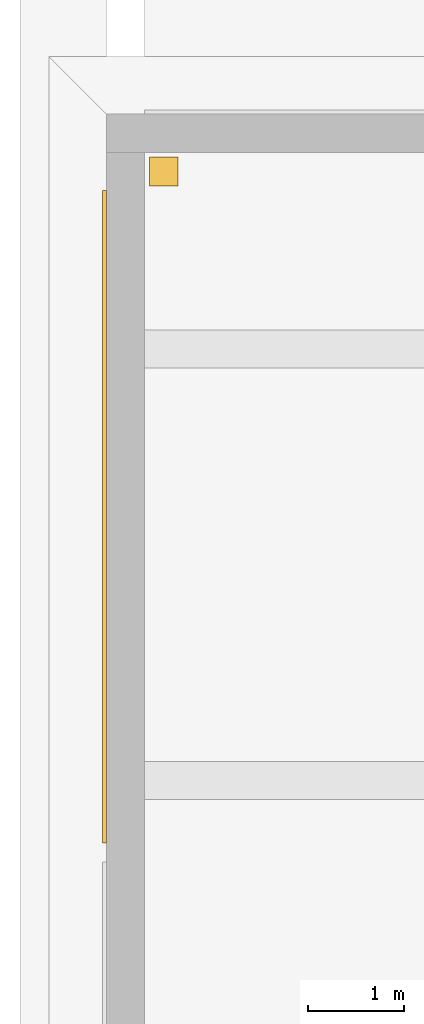
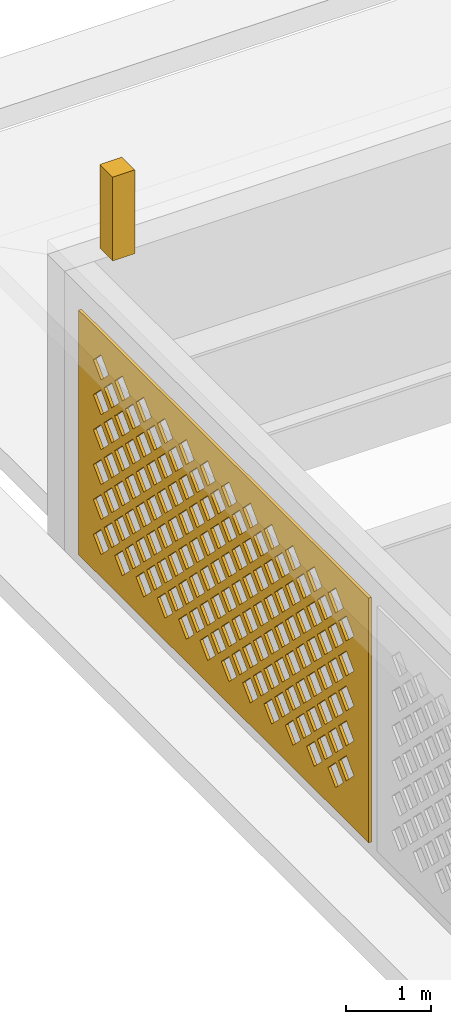
# One storey, part 29 of 63: 2 coverings.
"""IFC4 building model written with IfcOpenShell, lengths in metres."""

from ifc_helpers import new_model, si_unit, direction, frame, origin, origin_2d, place, context, subcontext, project, spatial, polyline, rectangle, outline, extrude, material, layer, layer_set, type_object, element, save


model = new_model("IFC4")

# Units and contexts
model_context = context("Model", 3, precision=1e-05, world=origin(), true_north=direction((0.0, 1.0)))
body_context = subcontext(model_context, "Body", "Model", "MODEL_VIEW")
ifc_project = project(units=[si_unit("LENGTHUNIT", "METRE"), si_unit("AREAUNIT", "SQUARE_METRE"), si_unit("VOLUMEUNIT", "CUBIC_METRE"), si_unit("PLANEANGLEUNIT", "RADIAN"), si_unit("MASSUNIT", "GRAM", prefix="KILO")], contexts=[model_context])

# Site, building, storey
site_placement = place(None, origin())
site = spatial("IfcSite", under=ifc_project, at=site_placement, CompositionType="ELEMENT")
building_placement = place(site_placement, origin())
building = spatial("IfcBuilding", under=site, at=building_placement, Name="Noorbagh Ring Tower", CompositionType="ELEMENT")
storey_placement = place(building_placement, frame((0.0, 0.0, 25.0)))
storey = spatial("IfcBuildingStorey", under=building, at=storey_placement, Name="L04", CompositionType="ELEMENT", Elevation=25.0)

# Coverings
ifc_material_1 = material(Name="Red sandstone jali", Category="masonry")
ifc_layer = layer(ifc_material_1, 0.0400390625)
ifc_layer_set = layer_set([ifc_layer], Name="Red sandstone jali")
covering_type_1 = type_object("IfcCoveringType", Name="STH-BAND", PredefinedType="USERDEFINED", material=ifc_layer_set)
covering_1_placement = place(storey_placement, frame((-160.0400390625, 22.39990234375, 0.199951171875), z_axis=(-1.0, 0.0, 0.0), x_axis=(0.0, -1.0, 0.0)))
element("IfcCovering", 1, at=covering_1_placement, inside=storey, type_object=covering_type_1, Name="Jali band of the stage house", ObjectType="JALI SCREEN", PredefinedType="USERDEFINED", context=body_context, shape_type="SweptSolid", body=[
    extrude(outline(polyline([(0.0, 0.0), (6.7998046875, 0.0), (6.7998046875, 3.5), (0.0, 3.5), (0.0, 0.0)]), holes=[polyline([(0.344970703125, 0.5), (0.52490234375, 0.320068359375), (0.705078125, 0.5), (0.52490234375, 0.679931640625), (0.344970703125, 0.5)]), polyline([(0.844970703125, 0.5), (1.02490234375, 0.320068359375), (1.205078125, 0.5), (1.02490234375, 0.679931640625), (0.844970703125, 0.5)]), polyline([(1.344970703125, 0.5), (1.52490234375, 0.320068359375), (1.705078125, 0.5), (1.52490234375, 0.679931640625), (1.344970703125, 0.5)]), polyline([(1.844970703125, 0.5), (2.02490234375, 0.320068359375), (2.205078125, 0.5), (2.02490234375, 0.679931640625), (1.844970703125, 0.5)]), polyline([(2.344970703125, 0.5), (2.52490234375, 0.320068359375), (2.705078125, 0.5), (2.52490234375, 0.679931640625), (2.344970703125, 0.5)]), polyline([(2.844970703125, 0.5), (3.02490234375, 0.320068359375), (3.205078125, 0.5), (3.02490234375, 0.679931640625), (2.844970703125, 0.5)]), polyline([(3.344970703125, 0.5), (3.52490234375, 0.320068359375), (3.705078125, 0.5), (3.52490234375, 0.679931640625), (3.344970703125, 0.5)]), polyline([(3.844970703125, 0.5), (4.02490234375, 0.320068359375), (4.205078125, 0.5), (4.02490234375, 0.679931640625), (3.844970703125, 0.5)]), polyline([(4.344970703125, 0.5), (4.52490234375, 0.320068359375), (4.705078125, 0.5), (4.52490234375, 0.679931640625), (4.344970703125, 0.5)]), polyline([(4.844970703125, 0.5), (5.02490234375, 0.320068359375), (5.205078125, 0.5), (5.02490234375, 0.679931640625), (4.844970703125, 0.5)]), polyline([(5.344970703125, 0.5), (5.52490234375, 0.320068359375), (5.705078125, 0.5), (5.52490234375, 0.679931640625), (5.344970703125, 0.5)]), polyline([(5.844970703125, 0.5), (6.02490234375, 0.320068359375), (6.205078125, 0.5), (6.02490234375, 0.679931640625), (5.844970703125, 0.5)]), polyline([(0.594970703125, 0.75), (0.77490234375, 0.570068359375), (0.955078125, 0.75), (0.77490234375, 0.929931640625), (0.594970703125, 0.75)]), polyline([(1.094970703125, 0.75), (1.27490234375, 0.570068359375), (1.455078125, 0.75), (1.27490234375, 0.929931640625), (1.094970703125, 0.75)]), polyline([(1.594970703125, 0.75), (1.77490234375, 0.570068359375), (1.955078125, 0.75), (1.77490234375, 0.929931640625), (1.594970703125, 0.75)]), polyline([(2.094970703125, 0.75), (2.27490234375, 0.570068359375), (2.455078125, 0.75), (2.27490234375, 0.929931640625), (2.094970703125, 0.75)]), polyline([(2.594970703125, 0.75), (2.77490234375, 0.570068359375), (2.955078125, 0.75), (2.77490234375, 0.929931640625), (2.594970703125, 0.75)]), polyline([(3.094970703125, 0.75), (3.27490234375, 0.570068359375), (3.455078125, 0.75), (3.27490234375, 0.929931640625), (3.094970703125, 0.75)]), polyline([(3.594970703125, 0.75), (3.77490234375, 0.570068359375), (3.955078125, 0.75), (3.77490234375, 0.929931640625), (3.594970703125, 0.75)]), polyline([(4.094970703125, 0.75), (4.27490234375, 0.570068359375), (4.455078125, 0.75), (4.27490234375, 0.929931640625), (4.094970703125, 0.75)]), polyline([(4.594970703125, 0.75), (4.77490234375, 0.570068359375), (4.955078125, 0.75), (4.77490234375, 0.929931640625), (4.594970703125, 0.75)]), polyline([(5.094970703125, 0.75), (5.27490234375, 0.570068359375), (5.455078125, 0.75), (5.27490234375, 0.929931640625), (5.094970703125, 0.75)]), polyline([(5.594970703125, 0.75), (5.77490234375, 0.570068359375), (5.955078125, 0.75), (5.77490234375, 0.929931640625), (5.594970703125, 0.75)]), polyline([(6.094970703125, 0.75), (6.27490234375, 0.570068359375), (6.455078125, 0.75), (6.27490234375, 0.929931640625), (6.094970703125, 0.75)]), polyline([(0.344970703125, 1.0), (0.52490234375, 0.820068359375), (0.705078125, 1.0), (0.52490234375, 1.179931640625), (0.344970703125, 1.0)]), polyline([(0.844970703125, 1.0), (1.02490234375, 0.820068359375), (1.205078125, 1.0), (1.02490234375, 1.179931640625), (0.844970703125, 1.0)]), polyline([(1.344970703125, 1.0), (1.52490234375, 0.820068359375), (1.705078125, 1.0), (1.52490234375, 1.179931640625), (1.344970703125, 1.0)]), polyline([(1.844970703125, 1.0), (2.02490234375, 0.820068359375), (2.205078125, 1.0), (2.02490234375, 1.179931640625), (1.844970703125, 1.0)]), polyline([(2.344970703125, 1.0), (2.52490234375, 0.820068359375), (2.705078125, 1.0), (2.52490234375, 1.179931640625), (2.344970703125, 1.0)]), polyline([(2.844970703125, 1.0), (3.02490234375, 0.820068359375), (3.205078125, 1.0), (3.02490234375, 1.179931640625), (2.844970703125, 1.0)]), polyline([(3.344970703125, 1.0), (3.52490234375, 0.820068359375), (3.705078125, 1.0), (3.52490234375, 1.179931640625), (3.344970703125, 1.0)]), polyline([(3.844970703125, 1.0), (4.02490234375, 0.820068359375), (4.205078125, 1.0), (4.02490234375, 1.179931640625), (3.844970703125, 1.0)]), polyline([(4.344970703125, 1.0), (4.52490234375, 0.820068359375), (4.705078125, 1.0), (4.52490234375, 1.179931640625), (4.344970703125, 1.0)]), polyline([(4.844970703125, 1.0), (5.02490234375, 0.820068359375), (5.205078125, 1.0), (5.02490234375, 1.179931640625), (4.844970703125, 1.0)]), polyline([(5.344970703125, 1.0), (5.52490234375, 0.820068359375), (5.705078125, 1.0), (5.52490234375, 1.179931640625), (5.344970703125, 1.0)]), polyline([(5.844970703125, 1.0), (6.02490234375, 0.820068359375), (6.205078125, 1.0), (6.02490234375, 1.179931640625), (5.844970703125, 1.0)]), polyline([(0.594970703125, 1.25), (0.77490234375, 1.070068359375), (0.955078125, 1.25), (0.77490234375, 1.429931640625), (0.594970703125, 1.25)]), polyline([(1.094970703125, 1.25), (1.27490234375, 1.070068359375), (1.455078125, 1.25), (1.27490234375, 1.429931640625), (1.094970703125, 1.25)]), polyline([(1.594970703125, 1.25), (1.77490234375, 1.070068359375), (1.955078125, 1.25), (1.77490234375, 1.429931640625), (1.594970703125, 1.25)]), polyline([(2.094970703125, 1.25), (2.27490234375, 1.070068359375), (2.455078125, 1.25), (2.27490234375, 1.429931640625), (2.094970703125, 1.25)]), polyline([(2.594970703125, 1.25), (2.77490234375, 1.070068359375), (2.955078125, 1.25), (2.77490234375, 1.429931640625), (2.594970703125, 1.25)]), polyline([(3.094970703125, 1.25), (3.27490234375, 1.070068359375), (3.455078125, 1.25), (3.27490234375, 1.429931640625), (3.094970703125, 1.25)]), polyline([(3.594970703125, 1.25), (3.77490234375, 1.070068359375), (3.955078125, 1.25), (3.77490234375, 1.429931640625), (3.594970703125, 1.25)]), polyline([(4.094970703125, 1.25), (4.27490234375, 1.070068359375), (4.455078125, 1.25), (4.27490234375, 1.429931640625), (4.094970703125, 1.25)]), polyline([(4.594970703125, 1.25), (4.77490234375, 1.070068359375), (4.955078125, 1.25), (4.77490234375, 1.429931640625), (4.594970703125, 1.25)]), polyline([(5.094970703125, 1.25), (5.27490234375, 1.070068359375), (5.455078125, 1.25), (5.27490234375, 1.429931640625), (5.094970703125, 1.25)]), polyline([(5.594970703125, 1.25), (5.77490234375, 1.070068359375), (5.955078125, 1.25), (5.77490234375, 1.429931640625), (5.594970703125, 1.25)]), polyline([(6.094970703125, 1.25), (6.27490234375, 1.070068359375), (6.455078125, 1.25), (6.27490234375, 1.429931640625), (6.094970703125, 1.25)]), polyline([(0.344970703125, 1.5), (0.52490234375, 1.320068359375), (0.705078125, 1.5), (0.52490234375, 1.679931640625), (0.344970703125, 1.5)]), polyline([(0.844970703125, 1.5), (1.02490234375, 1.320068359375), (1.205078125, 1.5), (1.02490234375, 1.679931640625), (0.844970703125, 1.5)]), polyline([(1.344970703125, 1.5), (1.52490234375, 1.320068359375), (1.705078125, 1.5), (1.52490234375, 1.679931640625), (1.344970703125, 1.5)]), polyline([(1.844970703125, 1.5), (2.02490234375, 1.320068359375), (2.205078125, 1.5), (2.02490234375, 1.679931640625), (1.844970703125, 1.5)]), polyline([(2.344970703125, 1.5), (2.52490234375, 1.320068359375), (2.705078125, 1.5), (2.52490234375, 1.679931640625), (2.344970703125, 1.5)]), polyline([(2.844970703125, 1.5), (3.02490234375, 1.320068359375), (3.205078125, 1.5), (3.02490234375, 1.679931640625), (2.844970703125, 1.5)]), polyline([(3.344970703125, 1.5), (3.52490234375, 1.320068359375), (3.705078125, 1.5), (3.52490234375, 1.679931640625), (3.344970703125, 1.5)]), polyline([(3.844970703125, 1.5), (4.02490234375, 1.320068359375), (4.205078125, 1.5), (4.02490234375, 1.679931640625), (3.844970703125, 1.5)]), polyline([(4.344970703125, 1.5), (4.52490234375, 1.320068359375), (4.705078125, 1.5), (4.52490234375, 1.679931640625), (4.344970703125, 1.5)]), polyline([(4.844970703125, 1.5), (5.02490234375, 1.320068359375), (5.205078125, 1.5), (5.02490234375, 1.679931640625), (4.844970703125, 1.5)]), polyline([(5.344970703125, 1.5), (5.52490234375, 1.320068359375), (5.705078125, 1.5), (5.52490234375, 1.679931640625), (5.344970703125, 1.5)]), polyline([(5.844970703125, 1.5), (6.02490234375, 1.320068359375), (6.205078125, 1.5), (6.02490234375, 1.679931640625), (5.844970703125, 1.5)]), polyline([(0.594970703125, 1.75), (0.77490234375, 1.570068359375), (0.955078125, 1.75), (0.77490234375, 1.929931640625), (0.594970703125, 1.75)]), polyline([(1.094970703125, 1.75), (1.27490234375, 1.570068359375), (1.455078125, 1.75), (1.27490234375, 1.929931640625), (1.094970703125, 1.75)]), polyline([(1.594970703125, 1.75), (1.77490234375, 1.570068359375), (1.955078125, 1.75), (1.77490234375, 1.929931640625), (1.594970703125, 1.75)]), polyline([(2.094970703125, 1.75), (2.27490234375, 1.570068359375), (2.455078125, 1.75), (2.27490234375, 1.929931640625), (2.094970703125, 1.75)]), polyline([(2.594970703125, 1.75), (2.77490234375, 1.570068359375), (2.955078125, 1.75), (2.77490234375, 1.929931640625), (2.594970703125, 1.75)]), polyline([(3.094970703125, 1.75), (3.27490234375, 1.570068359375), (3.455078125, 1.75), (3.27490234375, 1.929931640625), (3.094970703125, 1.75)]), polyline([(3.594970703125, 1.75), (3.77490234375, 1.570068359375), (3.955078125, 1.75), (3.77490234375, 1.929931640625), (3.594970703125, 1.75)]), polyline([(4.094970703125, 1.75), (4.27490234375, 1.570068359375), (4.455078125, 1.75), (4.27490234375, 1.929931640625), (4.094970703125, 1.75)]), polyline([(4.594970703125, 1.75), (4.77490234375, 1.570068359375), (4.955078125, 1.75), (4.77490234375, 1.929931640625), (4.594970703125, 1.75)]), polyline([(5.094970703125, 1.75), (5.27490234375, 1.570068359375), (5.455078125, 1.75), (5.27490234375, 1.929931640625), (5.094970703125, 1.75)]), polyline([(5.594970703125, 1.75), (5.77490234375, 1.570068359375), (5.955078125, 1.75), (5.77490234375, 1.929931640625), (5.594970703125, 1.75)]), polyline([(6.094970703125, 1.75), (6.27490234375, 1.570068359375), (6.455078125, 1.75), (6.27490234375, 1.929931640625), (6.094970703125, 1.75)]), polyline([(0.344970703125, 2.0), (0.52490234375, 1.820068359375), (0.705078125, 2.0), (0.52490234375, 2.179931640625), (0.344970703125, 2.0)]), polyline([(0.844970703125, 2.0), (1.02490234375, 1.820068359375), (1.205078125, 2.0), (1.02490234375, 2.179931640625), (0.844970703125, 2.0)]), polyline([(1.344970703125, 2.0), (1.52490234375, 1.820068359375), (1.705078125, 2.0), (1.52490234375, 2.179931640625), (1.344970703125, 2.0)]), polyline([(1.844970703125, 2.0), (2.02490234375, 1.820068359375), (2.205078125, 2.0), (2.02490234375, 2.179931640625), (1.844970703125, 2.0)]), polyline([(2.344970703125, 2.0), (2.52490234375, 1.820068359375), (2.705078125, 2.0), (2.52490234375, 2.179931640625), (2.344970703125, 2.0)]), polyline([(2.844970703125, 2.0), (3.02490234375, 1.820068359375), (3.205078125, 2.0), (3.02490234375, 2.179931640625), (2.844970703125, 2.0)]), polyline([(3.344970703125, 2.0), (3.52490234375, 1.820068359375), (3.705078125, 2.0), (3.52490234375, 2.179931640625), (3.344970703125, 2.0)]), polyline([(3.844970703125, 2.0), (4.02490234375, 1.820068359375), (4.205078125, 2.0), (4.02490234375, 2.179931640625), (3.844970703125, 2.0)]), polyline([(4.344970703125, 2.0), (4.52490234375, 1.820068359375), (4.705078125, 2.0), (4.52490234375, 2.179931640625), (4.344970703125, 2.0)]), polyline([(4.844970703125, 2.0), (5.02490234375, 1.820068359375), (5.205078125, 2.0), (5.02490234375, 2.179931640625), (4.844970703125, 2.0)]), polyline([(5.344970703125, 2.0), (5.52490234375, 1.820068359375), (5.705078125, 2.0), (5.52490234375, 2.179931640625), (5.344970703125, 2.0)]), polyline([(5.844970703125, 2.0), (6.02490234375, 1.820068359375), (6.205078125, 2.0), (6.02490234375, 2.179931640625), (5.844970703125, 2.0)]), polyline([(0.594970703125, 2.25), (0.77490234375, 2.070068359375), (0.955078125, 2.25), (0.77490234375, 2.429931640625), (0.594970703125, 2.25)]), polyline([(1.094970703125, 2.25), (1.27490234375, 2.070068359375), (1.455078125, 2.25), (1.27490234375, 2.429931640625), (1.094970703125, 2.25)]), polyline([(1.594970703125, 2.25), (1.77490234375, 2.070068359375), (1.955078125, 2.25), (1.77490234375, 2.429931640625), (1.594970703125, 2.25)]), polyline([(2.094970703125, 2.25), (2.27490234375, 2.070068359375), (2.455078125, 2.25), (2.27490234375, 2.429931640625), (2.094970703125, 2.25)]), polyline([(2.594970703125, 2.25), (2.77490234375, 2.070068359375), (2.955078125, 2.25), (2.77490234375, 2.429931640625), (2.594970703125, 2.25)]), polyline([(3.094970703125, 2.25), (3.27490234375, 2.070068359375), (3.455078125, 2.25), (3.27490234375, 2.429931640625), (3.094970703125, 2.25)]), polyline([(3.594970703125, 2.25), (3.77490234375, 2.070068359375), (3.955078125, 2.25), (3.77490234375, 2.429931640625), (3.594970703125, 2.25)]), polyline([(4.094970703125, 2.25), (4.27490234375, 2.070068359375), (4.455078125, 2.25), (4.27490234375, 2.429931640625), (4.094970703125, 2.25)]), polyline([(4.594970703125, 2.25), (4.77490234375, 2.070068359375), (4.955078125, 2.25), (4.77490234375, 2.429931640625), (4.594970703125, 2.25)]), polyline([(5.094970703125, 2.25), (5.27490234375, 2.070068359375), (5.455078125, 2.25), (5.27490234375, 2.429931640625), (5.094970703125, 2.25)]), polyline([(5.594970703125, 2.25), (5.77490234375, 2.070068359375), (5.955078125, 2.25), (5.77490234375, 2.429931640625), (5.594970703125, 2.25)]), polyline([(6.094970703125, 2.25), (6.27490234375, 2.070068359375), (6.455078125, 2.25), (6.27490234375, 2.429931640625), (6.094970703125, 2.25)]), polyline([(0.344970703125, 2.5), (0.52490234375, 2.320068359375), (0.705078125, 2.5), (0.52490234375, 2.679931640625), (0.344970703125, 2.5)]), polyline([(0.844970703125, 2.5), (1.02490234375, 2.320068359375), (1.205078125, 2.5), (1.02490234375, 2.679931640625), (0.844970703125, 2.5)]), polyline([(1.344970703125, 2.5), (1.52490234375, 2.320068359375), (1.705078125, 2.5), (1.52490234375, 2.679931640625), (1.344970703125, 2.5)]), polyline([(1.844970703125, 2.5), (2.02490234375, 2.320068359375), (2.205078125, 2.5), (2.02490234375, 2.679931640625), (1.844970703125, 2.5)]), polyline([(2.344970703125, 2.5), (2.52490234375, 2.320068359375), (2.705078125, 2.5), (2.52490234375, 2.679931640625), (2.344970703125, 2.5)]), polyline([(2.844970703125, 2.5), (3.02490234375, 2.320068359375), (3.205078125, 2.5), (3.02490234375, 2.679931640625), (2.844970703125, 2.5)]), polyline([(3.344970703125, 2.5), (3.52490234375, 2.320068359375), (3.705078125, 2.5), (3.52490234375, 2.679931640625), (3.344970703125, 2.5)]), polyline([(3.844970703125, 2.5), (4.02490234375, 2.320068359375), (4.205078125, 2.5), (4.02490234375, 2.679931640625), (3.844970703125, 2.5)]), polyline([(4.344970703125, 2.5), (4.52490234375, 2.320068359375), (4.705078125, 2.5), (4.52490234375, 2.679931640625), (4.344970703125, 2.5)]), polyline([(4.844970703125, 2.5), (5.02490234375, 2.320068359375), (5.205078125, 2.5), (5.02490234375, 2.679931640625), (4.844970703125, 2.5)]), polyline([(5.344970703125, 2.5), (5.52490234375, 2.320068359375), (5.705078125, 2.5), (5.52490234375, 2.679931640625), (5.344970703125, 2.5)]), polyline([(5.844970703125, 2.5), (6.02490234375, 2.320068359375), (6.205078125, 2.5), (6.02490234375, 2.679931640625), (5.844970703125, 2.5)]), polyline([(0.594970703125, 2.75), (0.77490234375, 2.570068359375), (0.955078125, 2.75), (0.77490234375, 2.929931640625), (0.594970703125, 2.75)]), polyline([(1.094970703125, 2.75), (1.27490234375, 2.570068359375), (1.455078125, 2.75), (1.27490234375, 2.929931640625), (1.094970703125, 2.75)]), polyline([(1.594970703125, 2.75), (1.77490234375, 2.570068359375), (1.955078125, 2.75), (1.77490234375, 2.929931640625), (1.594970703125, 2.75)]), polyline([(2.094970703125, 2.75), (2.27490234375, 2.570068359375), (2.455078125, 2.75), (2.27490234375, 2.929931640625), (2.094970703125, 2.75)]), polyline([(2.594970703125, 2.75), (2.77490234375, 2.570068359375), (2.955078125, 2.75), (2.77490234375, 2.929931640625), (2.594970703125, 2.75)]), polyline([(3.094970703125, 2.75), (3.27490234375, 2.570068359375), (3.455078125, 2.75), (3.27490234375, 2.929931640625), (3.094970703125, 2.75)]), polyline([(3.594970703125, 2.75), (3.77490234375, 2.570068359375), (3.955078125, 2.75), (3.77490234375, 2.929931640625), (3.594970703125, 2.75)]), polyline([(4.094970703125, 2.75), (4.27490234375, 2.570068359375), (4.455078125, 2.75), (4.27490234375, 2.929931640625), (4.094970703125, 2.75)]), polyline([(4.594970703125, 2.75), (4.77490234375, 2.570068359375), (4.955078125, 2.75), (4.77490234375, 2.929931640625), (4.594970703125, 2.75)]), polyline([(5.094970703125, 2.75), (5.27490234375, 2.570068359375), (5.455078125, 2.75), (5.27490234375, 2.929931640625), (5.094970703125, 2.75)]), polyline([(5.594970703125, 2.75), (5.77490234375, 2.570068359375), (5.955078125, 2.75), (5.77490234375, 2.929931640625), (5.594970703125, 2.75)]), polyline([(6.094970703125, 2.75), (6.27490234375, 2.570068359375), (6.455078125, 2.75), (6.27490234375, 2.929931640625), (6.094970703125, 2.75)]), polyline([(0.344970703125, 3.0), (0.52490234375, 2.820068359375), (0.705078125, 3.0), (0.52490234375, 3.179931640625), (0.344970703125, 3.0)]), polyline([(0.844970703125, 3.0), (1.02490234375, 2.820068359375), (1.205078125, 3.0), (1.02490234375, 3.179931640625), (0.844970703125, 3.0)]), polyline([(1.344970703125, 3.0), (1.52490234375, 2.820068359375), (1.705078125, 3.0), (1.52490234375, 3.179931640625), (1.344970703125, 3.0)]), polyline([(1.844970703125, 3.0), (2.02490234375, 2.820068359375), (2.205078125, 3.0), (2.02490234375, 3.179931640625), (1.844970703125, 3.0)]), polyline([(2.344970703125, 3.0), (2.52490234375, 2.820068359375), (2.705078125, 3.0), (2.52490234375, 3.179931640625), (2.344970703125, 3.0)]), polyline([(2.844970703125, 3.0), (3.02490234375, 2.820068359375), (3.205078125, 3.0), (3.02490234375, 3.179931640625), (2.844970703125, 3.0)]), polyline([(3.344970703125, 3.0), (3.52490234375, 2.820068359375), (3.705078125, 3.0), (3.52490234375, 3.179931640625), (3.344970703125, 3.0)]), polyline([(3.844970703125, 3.0), (4.02490234375, 2.820068359375), (4.205078125, 3.0), (4.02490234375, 3.179931640625), (3.844970703125, 3.0)]), polyline([(4.344970703125, 3.0), (4.52490234375, 2.820068359375), (4.705078125, 3.0), (4.52490234375, 3.179931640625), (4.344970703125, 3.0)]), polyline([(4.844970703125, 3.0), (5.02490234375, 2.820068359375), (5.205078125, 3.0), (5.02490234375, 3.179931640625), (4.844970703125, 3.0)]), polyline([(5.344970703125, 3.0), (5.52490234375, 2.820068359375), (5.705078125, 3.0), (5.52490234375, 3.179931640625), (5.344970703125, 3.0)]), polyline([(5.844970703125, 3.0), (6.02490234375, 2.820068359375), (6.205078125, 3.0), (6.02490234375, 3.179931640625), (5.844970703125, 3.0)])]), origin(), (0.0, 0.0, -1.0), 0.0400390625),
])
ifc_material_2 = material(Name="Brass finial")
covering_type_2 = type_object("IfcCoveringType", Name="STH-FINIAL", PredefinedType="ROOFING", material=ifc_material_2)
covering_2_placement = place(storey_placement, frame((-159.39990234375, 22.60009765625, 4.2001953125), z_axis=(0.0, 0.0, 1.0), x_axis=(1.0, 0.0, 0.0)))
element("IfcCovering", 2, at=covering_2_placement, inside=storey, type_object=covering_type_2, Name="Corner finial of the stage house", PredefinedType="ROOFING", context=body_context, shape_type="SweptSolid", body=[
    extrude(rectangle(XDim=0.300048828125, YDim=0.300048828125, at=origin_2d()), origin(), (0.0, 0.0, 1.0), 1.199951171875),
])

save(model, "model.ifc")
